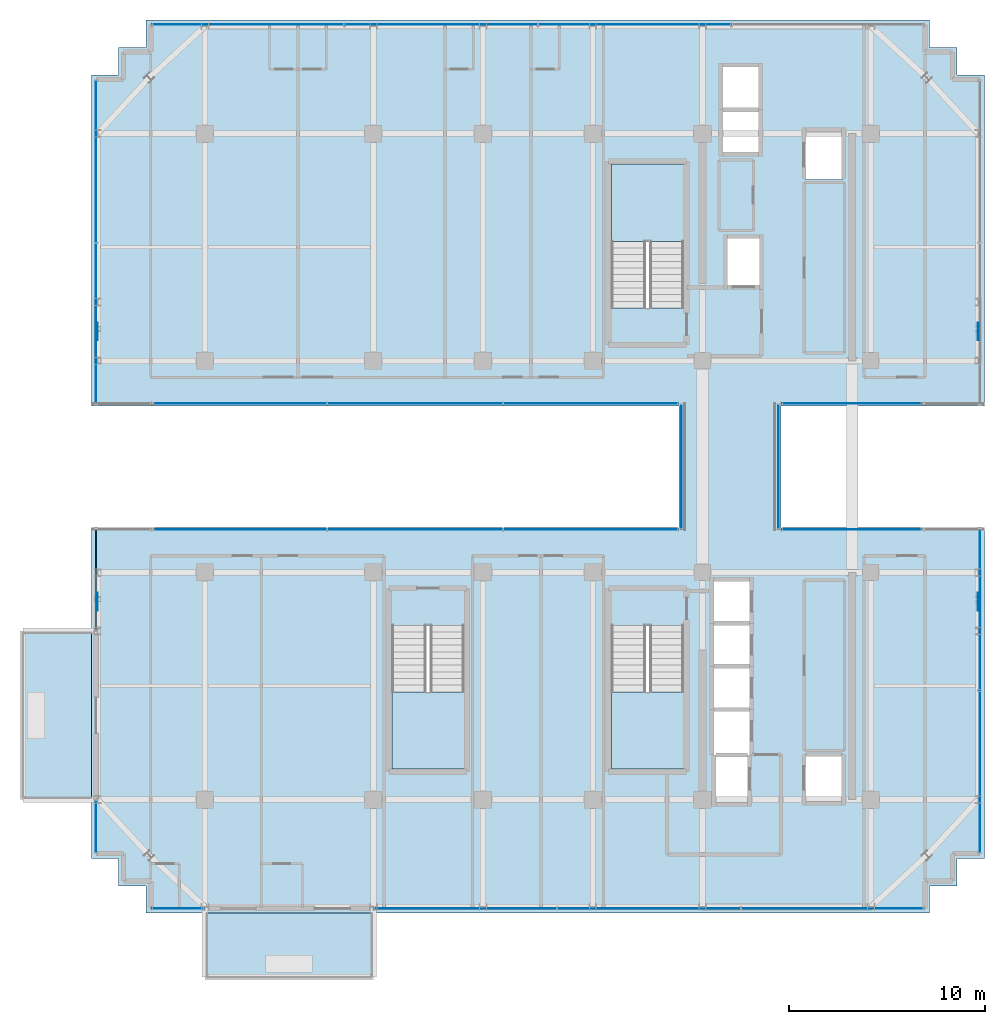
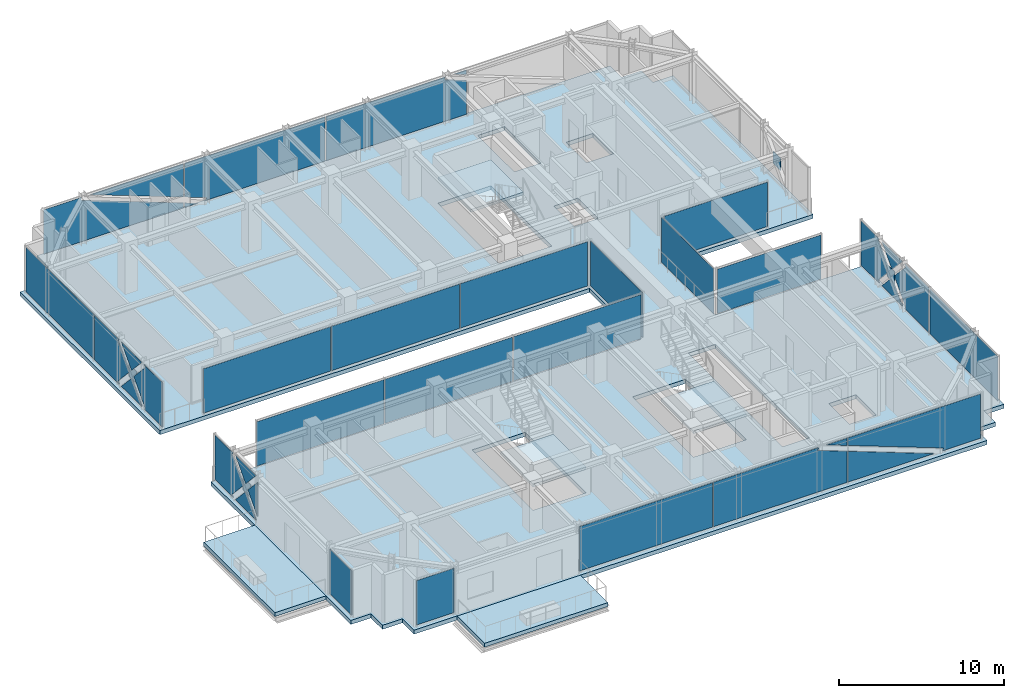
# One storey, part 29 of 37: 27 plates, 6 slabs, 16 elements without a shape of their own.
"""IFC4 building model written with IfcOpenShell, lengths in metres."""

from ifc_helpers import new_model, si_unit, direction, frame, origin, origin_2d, place, context, subcontext, project, spatial, polyline, rectangle, outline, extrude, source, transform, mapped, material, layer, layer_set, type_object, element, aggregate, save


model = new_model("IFC4")

# Units and contexts
model_context = context("Model", 3, precision=1e-05, world=origin(), true_north=direction((0.0, 1.0)))
body_context = subcontext(model_context, "Body", "Model", "MODEL_VIEW")
ifc_project = project(units=[si_unit("LENGTHUNIT", "METRE"), si_unit("AREAUNIT", "SQUARE_METRE"), si_unit("VOLUMEUNIT", "CUBIC_METRE"), si_unit("PLANEANGLEUNIT", "RADIAN"), si_unit("MASSUNIT", "GRAM", prefix="KILO")], contexts=[model_context])

# Site, building, storey
site_placement = place(None, origin())
site = spatial("IfcSite", under=ifc_project, at=site_placement, CompositionType="ELEMENT")
building_placement = place(site_placement, origin())
building = spatial("IfcBuilding", under=site, at=building_placement, Name="Nahalor Promenade Grand Hotel", CompositionType="ELEMENT")
storey_placement = place(building_placement, frame((0.0, 0.0, 308.050048828125)))
storey = spatial("IfcBuildingStorey", under=building, at=storey_placement, Name="L79", CompositionType="ELEMENT", Elevation=308.050048828125)

# Curtain wall, plates
ifc_material_1 = material(Name="Anodised Bronze Aluminium EN AW-6063 T6", Category="aluminium")
curtain_wall_type_1 = type_object("IfcCurtainWallType", Name="CW3 Elliptical-Void Collar Unitised Curtain Wall", PredefinedType="USERDEFINED", material=ifc_material_1)
curtain_wall_1_placement = place(storey_placement, origin())
curtain_wall_1 = element("IfcCurtainWall", 1, at=curtain_wall_1_placement, inside=storey, type_object=curtain_wall_type_1, Name="L79 Curtain Wall CW-L79-S-3", ObjectType="UNITISED_CURTAIN_WALL", PredefinedType="USERDEFINED")
ifc_material_2 = material(Name="Low-E Laminated Solar Glass", Category="glass")
ifc_layer_1 = layer(ifc_material_2, 0.030029296875)
ifc_layer_set_1 = layer_set([ifc_layer_1], Name="Low-E Laminated Solar Glass")
plate_type_1 = type_object("IfcPlateType", Name="CWP3 High-Wind Laminated Bronze IGU 30mm", PredefinedType="CURTAIN_PANEL", material=ifc_layer_set_1)
plate_1_placement = place(storey_placement, frame((5.679931640625, -22.56005859375, 0.139892578125), z_axis=(0.0, 0.0, 1.0), x_axis=(1.0, 0.0, 0.0)))
plate_1 = element("IfcPlate", 2, at=plate_1_placement, type_object=plate_type_1, Name="CW-L79-S-3 Glazing Panel 1-0", PredefinedType="CURTAIN_PANEL", context=body_context, shape_type="SweptSolid", body=[
    extrude(outline(polyline([(-4.658447265625, 0.0), (4.658447265625, 0.0), (4.658447265625, 2.313720703125), (2.6259765625, 3.081787109375), (2.697021484375, 3.27001953125), (-4.658447265625, 3.27001953125), (-4.658447265625, 0.0)])), frame((0.0, 0.01513671875, 0.0), z_axis=(0.0, -1.0, 0.0), x_axis=(1.0, 0.0, 0.0)), (0.0, 0.0, 1.0), 0.030029296875),
    extrude(outline(polyline([(4.658447265625, 2.7412109375), (4.658447265625, 3.27001953125), (3.25927734375, 3.27001953125), (4.658447265625, 2.7412109375)])), frame((0.0, 0.01513671875, 0.0), z_axis=(0.0, -1.0, 0.0), x_axis=(1.0, 0.0, 0.0)), (0.0, 0.0, 1.0), 0.030029296875),
])
plate_2_placement = place(storey_placement, frame((15.049072265625, -22.56005859375, 0.139892578125), z_axis=(0.0, 0.0, 1.0), x_axis=(1.0, 0.0, 0.0)))
plate_2 = element("IfcPlate", 3, at=plate_2_placement, type_object=plate_type_1, Name="CW-L79-S-3 Glazing Panel 2-0", PredefinedType="CURTAIN_PANEL", context=body_context, shape_type="SweptSolid", body=[
    extrude(outline(polyline([(4.640869140625, 3.27001953125), (-4.640869140625, 3.27001953125), (-4.640869140625, 2.71484375), (2.044921875, 0.188232421875), (1.973876953125, 0.0), (4.640869140625, 0.0), (4.640869140625, 3.27001953125)])), frame((0.0, 0.01513671875, 0.0), z_axis=(0.0, -1.0, 0.0), x_axis=(1.0, 0.0, 0.0)), (0.0, 0.0, 1.0), 0.030029296875),
    extrude(outline(polyline([(-4.640869140625, 2.287353515625), (-4.640869140625, 0.0), (1.41162109375, 0.0), (-4.640869140625, 2.287353515625)])), frame((0.0, 0.01513671875, 0.0), z_axis=(0.0, -1.0, 0.0), x_axis=(1.0, 0.0, 0.0)), (0.0, 0.0, 1.0), 0.030029296875),
])

curtain_wall_2_placement = place(storey_placement, origin())
curtain_wall_2 = element("IfcCurtainWall", 4, at=curtain_wall_2_placement, inside=storey, type_object=curtain_wall_type_1, Name="L79 Curtain Wall CW-L79-N-1", ObjectType="UNITISED_CURTAIN_WALL", PredefinedType="USERDEFINED")
plate_3_placement = place(storey_placement, frame((-14.802490234375, 22.56005859375, 0.139892578125), z_axis=(0.0, 0.0, 1.0), x_axis=(1.0, 0.0, 0.0)))
plate_3 = element("IfcPlate", 5, at=plate_3_placement, type_object=plate_type_1, Name="CW-L79-N-1 Glazing Panel 0-0", PredefinedType="CURTAIN_PANEL", context=body_context, shape_type="SweptSolid", body=[
    extrude(outline(polyline([(-4.887451171875, 0.0), (4.887451171875, 0.0), (4.887451171875, 0.36865234375), (-2.29150390625, 3.081787109375), (-2.220458984375, 3.27001953125), (-4.887451171875, 3.27001953125), (-4.887451171875, 0.0)])), frame((0.0, 0.01513671875, 0.0), z_axis=(0.0, -1.0, 0.0), x_axis=(1.0, 0.0, 0.0)), (0.0, 0.0, 1.0), 0.030029296875),
    extrude(outline(polyline([(4.887451171875, 0.79638671875), (4.887451171875, 3.27001953125), (-1.658203125, 3.27001953125), (4.887451171875, 0.79638671875)])), frame((0.0, 0.01513671875, 0.0), z_axis=(0.0, -1.0, 0.0), x_axis=(1.0, 0.0, 0.0)), (0.0, 0.0, 1.0), 0.030029296875),
])
plate_4_placement = place(storey_placement, frame((-4.93994140625, 22.56005859375, 0.139892578125), z_axis=(0.0, 0.0, 1.0), x_axis=(1.0, 0.0, 0.0)))
plate_4 = element("IfcPlate", 6, at=plate_4_placement, type_object=plate_type_1, Name="CW-L79-N-1 Glazing Panel 1-0", PredefinedType="CURTAIN_PANEL", context=body_context, shape_type="SweptSolid", body=[
    extrude(outline(polyline([(4.905029296875, 3.27001953125), (-4.905029296875, 3.27001953125), (-4.905029296875, 0.769775390625), (-3.365966796875, 0.188232421875), (-3.43701171875, 0.0), (4.905029296875, 0.0), (4.905029296875, 3.27001953125)])), frame((0.0, 0.01513671875, 0.0), z_axis=(0.0, -1.0, 0.0), x_axis=(1.0, 0.0, 0.0)), (0.0, 0.0, 1.0), 0.030029296875),
    extrude(outline(polyline([(-4.905029296875, 0.34228515625), (-4.905029296875, 0.0), (-3.999267578125, 0.0), (-4.905029296875, 0.34228515625)])), frame((0.0, 0.01513671875, 0.0), z_axis=(0.0, -1.0, 0.0), x_axis=(1.0, 0.0, 0.0)), (0.0, 0.0, 1.0), 0.030029296875),
])
plate_5_placement = place(storey_placement, frame((4.93994140625, 22.56005859375, 0.139892578125), z_axis=(0.0, 0.0, 1.0), x_axis=(1.0, 0.0, 0.0)))
plate_5 = element("IfcPlate", 7, at=plate_5_placement, type_object=plate_type_1, Name="CW-L79-N-1 Glazing Panel 2-0", PredefinedType="CURTAIN_PANEL", context=body_context, shape_type="SweptSolid", body=[
    extrude(outline(polyline([(-4.905029296875, 0.0), (4.905029296875, 0.0), (4.905029296875, 2.5), (3.365966796875, 3.081787109375), (3.43701171875, 3.27001953125), (-4.905029296875, 3.27001953125), (-4.905029296875, 0.0)])), frame((0.0, 0.01513671875, 0.0), z_axis=(0.0, -1.0, 0.0), x_axis=(1.0, 0.0, 0.0)), (0.0, 0.0, 1.0), 0.030029296875),
    extrude(outline(polyline([(4.905029296875, 2.927734375), (4.905029296875, 3.27001953125), (3.999267578125, 3.27001953125), (4.905029296875, 2.927734375)])), frame((0.0, 0.01513671875, 0.0), z_axis=(0.0, -1.0, 0.0), x_axis=(1.0, 0.0, 0.0)), (0.0, 0.0, 1.0), 0.030029296875),
])
aggregate(curtain_wall_2, [plate_3, plate_4, plate_5])

# Curtain wall, plate
curtain_wall_3_placement = place(storey_placement, origin())
curtain_wall_3 = element("IfcCurtainWall", 8, at=curtain_wall_3_placement, inside=storey, type_object=curtain_wall_type_1, Name="L79 Curtain Wall CW-L79-W-3", ObjectType="UNITISED_CURTAIN_WALL", PredefinedType="USERDEFINED")
plate_6_placement = place(storey_placement, frame((-22.56005859375, -5.75, 0.139892578125), z_axis=(0.0, 0.0, 1.0), x_axis=(0.0, 1.0, 0.0)))
plate_6 = element("IfcPlate", 9, at=plate_6_placement, type_object=plate_type_1, Name="CW-L79-W-3 Glazing Panel 0-0", PredefinedType="CURTAIN_PANEL", context=body_context, shape_type="SweptSolid", body=[
    extrude(outline(polyline([(-1.422119140625, 1.635009765625), (-2.580078125, 2.889404296875), (-2.580078125, 0.380615234375), (-1.422119140625, 1.635009765625)])), frame((0.0, 0.01513671875, 0.0), z_axis=(0.0, -1.0, 0.0), x_axis=(1.0, 0.0, 0.0)), (0.0, 0.0, 1.0), 0.030029296875),
    extrude(outline(polyline([(-1.14990234375, 1.340087890625), (-2.386962890625, 0.0), (0.087158203125, 0.0), (-1.14990234375, 1.340087890625)])), frame((0.0, 0.01513671875, 0.0), z_axis=(0.0, -1.0, 0.0), x_axis=(1.0, 0.0, 0.0)), (0.0, 0.0, 1.0), 0.030029296875),
    extrude(outline(polyline([(-1.14990234375, 1.929931640625), (0.087158203125, 3.27001953125), (-2.386962890625, 3.27001953125), (-1.14990234375, 1.929931640625)])), frame((0.0, 0.01513671875, 0.0), z_axis=(0.0, -1.0, 0.0), x_axis=(1.0, 0.0, 0.0)), (0.0, 0.0, 1.0), 0.030029296875),
    extrude(outline(polyline([(2.580078125, 0.0), (2.580078125, 3.27001953125), (0.3759765625, 3.27001953125), (0.513916015625, 3.142822265625), (-0.8779296875, 1.635009765625), (0.513916015625, 0.127197265625), (0.3759765625, 0.0), (2.580078125, 0.0)])), frame((0.0, 0.01513671875, 0.0), z_axis=(0.0, -1.0, 0.0), x_axis=(1.0, 0.0, 0.0)), (0.0, 0.0, 1.0), 0.030029296875),
])
aggregate(curtain_wall_3, [plate_6])

curtain_wall_4_placement = place(storey_placement, origin())
curtain_wall_4 = element("IfcCurtainWall", 10, at=curtain_wall_4_placement, inside=storey, type_object=curtain_wall_type_1, Name="L79 Curtain Wall CW-L79-W-4", ObjectType="UNITISED_CURTAIN_WALL", PredefinedType="USERDEFINED")
plate_7_placement = place(storey_placement, frame((-22.56005859375, 7.282470703125, 0.139892578125), z_axis=(0.0, 0.0, 1.0), x_axis=(0.0, 1.0, 0.0)))
plate_7 = element("IfcPlate", 11, at=plate_7_placement, type_object=plate_type_1, Name="CW-L79-W-4 Glazing Panel 0-0", PredefinedType="CURTAIN_PANEL", context=body_context, shape_type="SweptSolid", body=[
    extrude(outline(polyline([(-4.112548828125, 3.27001953125), (-4.112548828125, 0.0), (-1.908447265625, 0.0), (-2.04638671875, 0.127197265625), (-0.65478515625, 1.635009765625), (-2.04638671875, 3.142822265625), (-1.908447265625, 3.27001953125), (-4.112548828125, 3.27001953125)])), frame((0.0, 0.01513671875, 0.0), z_axis=(0.0, -1.0, 0.0), x_axis=(1.0, 0.0, 0.0)), (0.0, 0.0, 1.0), 0.030029296875),
    extrude(outline(polyline([(-0.382568359375, 1.340087890625), (-1.61962890625, 0.0), (0.8544921875, 0.0), (-0.382568359375, 1.340087890625)])), frame((0.0, 0.01513671875, 0.0), z_axis=(0.0, -1.0, 0.0), x_axis=(1.0, 0.0, 0.0)), (0.0, 0.0, 1.0), 0.030029296875),
    extrude(outline(polyline([(-0.382568359375, 1.929931640625), (0.8544921875, 3.27001953125), (-1.61962890625, 3.27001953125), (-0.382568359375, 1.929931640625)])), frame((0.0, 0.01513671875, 0.0), z_axis=(0.0, -1.0, 0.0), x_axis=(1.0, 0.0, 0.0)), (0.0, 0.0, 1.0), 0.030029296875),
    extrude(outline(polyline([(4.112548828125, 0.0), (4.112548828125, 3.27001953125), (1.1435546875, 3.27001953125), (1.281494140625, 3.142822265625), (-0.1103515625, 1.635009765625), (1.281494140625, 0.127197265625), (1.1435546875, 0.0), (4.112548828125, 0.0)])), frame((0.0, 0.01513671875, 0.0), z_axis=(0.0, -1.0, 0.0), x_axis=(1.0, 0.0, 0.0)), (0.0, 0.0, 1.0), 0.030029296875),
])

curtain_wall_5_placement = place(storey_placement, origin())
curtain_wall_5 = element("IfcCurtainWall", 12, at=curtain_wall_5_placement, inside=storey, type_object=curtain_wall_type_1, Name="L79 Curtain Wall CW-L79-E-1", ObjectType="UNITISED_CURTAIN_WALL", PredefinedType="USERDEFINED")
plate_8_placement = place(storey_placement, frame((22.56005859375, -7.282470703125, 0.139892578125), z_axis=(0.0, 0.0, 1.0), x_axis=(0.0, 1.0, 0.0)))
plate_8 = element("IfcPlate", 13, at=plate_8_placement, type_object=plate_type_1, Name="CW-L79-E-1 Glazing Panel 1-0", PredefinedType="CURTAIN_PANEL", context=body_context, shape_type="SweptSolid", body=[
    extrude(outline(polyline([(-4.112548828125, 3.27001953125), (-4.112548828125, 0.0), (-1.1435546875, 0.0), (-1.281494140625, 0.127197265625), (0.1103515625, 1.635009765625), (-1.281494140625, 3.142822265625), (-1.1435546875, 3.27001953125), (-4.112548828125, 3.27001953125)])), frame((0.0, 0.01513671875, 0.0), z_axis=(0.0, -1.0, 0.0), x_axis=(1.0, 0.0, 0.0)), (0.0, 0.0, 1.0), 0.030029296875),
    extrude(outline(polyline([(0.382568359375, 1.340087890625), (-0.8544921875, 0.0), (1.61962890625, 0.0), (0.382568359375, 1.340087890625)])), frame((0.0, 0.01513671875, 0.0), z_axis=(0.0, -1.0, 0.0), x_axis=(1.0, 0.0, 0.0)), (0.0, 0.0, 1.0), 0.030029296875),
    extrude(outline(polyline([(0.382568359375, 1.929931640625), (1.61962890625, 3.27001953125), (-0.8544921875, 3.27001953125), (0.382568359375, 1.929931640625)])), frame((0.0, 0.01513671875, 0.0), z_axis=(0.0, -1.0, 0.0), x_axis=(1.0, 0.0, 0.0)), (0.0, 0.0, 1.0), 0.030029296875),
    extrude(outline(polyline([(4.112548828125, 0.0), (4.112548828125, 3.27001953125), (1.908447265625, 3.27001953125), (2.04638671875, 3.142822265625), (0.65478515625, 1.635009765625), (2.04638671875, 0.127197265625), (1.908447265625, 0.0), (4.112548828125, 0.0)])), frame((0.0, 0.01513671875, 0.0), z_axis=(0.0, -1.0, 0.0), x_axis=(1.0, 0.0, 0.0)), (0.0, 0.0, 1.0), 0.030029296875),
])

# Stair, slab
ifc_material_3 = material(Name="Concrete B-50 (C40/50)", Category="concrete")
stair_type_1 = type_object("IfcStairType", Name="Stair-ST1", PredefinedType="HALF_TURN_STAIR", material=ifc_material_3)
stair_1_placement = place(storey_placement, origin())
stair_1 = element("IfcStair", 14, at=stair_1_placement, inside=storey, type_object=stair_type_1, Name="L79 ST1", PredefinedType="HALF_TURN_STAIR")
ifc_layer_2 = layer(ifc_material_3, 0.199951171875)
ifc_layer_set_2 = layer_set([ifc_layer_2], Name="Concrete B-50 (C40/50)")
slab_type_1 = type_object("IfcSlabType", Name="Landing-ST1", PredefinedType="LANDING", material=ifc_layer_set_2)
slab_1_placement = place(storey_placement, frame((0.0, 0.0, 1.724853515625)))
slab_1 = element("IfcSlab", 15, at=slab_1_placement, type_object=slab_type_1, Name="ST1 landing 1", PredefinedType="LANDING", context=body_context, shape_type="SweptSolid", body=[
    extrude(outline(polyline([(7.449951171875, 11.5), (7.449951171875, 15.449951171875), (3.75, 15.449951171875), (3.75, 11.5), (7.449951171875, 11.5)])), origin(), (0.0, 0.0, 1.0), 0.2001953125),
])
aggregate(stair_1, [slab_1])

stair_type_2 = type_object("IfcStairType", Name="Stair-ST2", PredefinedType="HALF_TURN_STAIR", material=ifc_material_3)
stair_2_placement = place(storey_placement, origin())
stair_2 = element("IfcStair", 16, at=stair_2_placement, inside=storey, type_object=stair_type_2, Name="L79 ST2", PredefinedType="HALF_TURN_STAIR")
ifc_layer_3 = layer(ifc_material_3, 0.2099609375)
ifc_layer_set_3 = layer_set([ifc_layer_3], Name="Concrete B-50 (C40/50)")
slab_type_2 = type_object("IfcSlabType", Name="Landing-ST2", PredefinedType="LANDING", material=ifc_layer_set_3)
slab_2_placement = place(storey_placement, frame((0.0, 0.0, 1.71484375)))
slab_2 = element("IfcSlab", 17, at=slab_2_placement, type_object=slab_type_2, Name="ST2 landing 1", PredefinedType="LANDING", context=body_context, shape_type="SweptSolid", body=[
    extrude(outline(polyline([(3.75, -11.5), (3.75, -15.449951171875), (7.449951171875, -15.449951171875), (7.449951171875, -11.5), (3.75, -11.5)])), origin(), (0.0, 0.0, 1.0), 0.210205078125),
])
aggregate(stair_2, [slab_2])

stair_type_3 = type_object("IfcStairType", Name="Stair-ST3", PredefinedType="HALF_TURN_STAIR", material=ifc_material_3)
stair_3_placement = place(storey_placement, origin())
stair_3 = element("IfcStair", 18, at=stair_3_placement, inside=storey, type_object=stair_type_3, Name="L79 ST3", PredefinedType="HALF_TURN_STAIR")
ifc_layer_4 = layer(ifc_material_3, 0.219970703125)
ifc_layer_set_4 = layer_set([ifc_layer_4], Name="Concrete B-50 (C40/50)")
slab_type_3 = type_object("IfcSlabType", Name="Landing-ST3", PredefinedType="LANDING", material=ifc_layer_set_4)
slab_3_placement = place(storey_placement, frame((0.0, 0.0, 1.704833984375)))
slab_3 = element("IfcSlab", 19, at=slab_3_placement, type_object=slab_type_3, Name="ST3 landing 1", PredefinedType="LANDING", context=body_context, shape_type="SweptSolid", body=[
    extrude(outline(polyline([(-7.449951171875, -11.5), (-7.449951171875, -15.449951171875), (-3.75, -15.449951171875), (-3.75, -11.5), (-7.449951171875, -11.5)])), origin(), (0.0, 0.0, 1.0), 0.22021484375),
])
aggregate(stair_3, [slab_3])

# Slabs
ifc_layer_5 = layer(ifc_material_3, 0.280029296875)
ifc_layer_set_5 = layer_set([ifc_layer_5], Name="Concrete B-50 (C40/50)")
slab_type_4 = type_object("IfcSlabType", Name="Slab-Balcony-280", PredefinedType="FLOOR", material=ifc_layer_set_5)
slab_4_placement = place(storey_placement, frame((0.0, 0.0, -0.280029296875)))
element("IfcSlab", 20, at=slab_4_placement, inside=storey, type_object=slab_type_4, Name="L79 Cantilevered Planted Balcony 1", PredefinedType="FLOOR", context=body_context, shape_type="SweptSolid", body=[
    extrude(outline(polyline([(-17.0, -26.139892578125), (-8.39990234375, -26.139892578125), (-8.39990234375, -22.800048828125), (-17.0, -22.800048828125), (-17.0, -26.139892578125)])), origin(), (0.0, 0.0, 1.0), 0.280029296875),
])
slab_5_placement = place(storey_placement, frame((0.0, 0.0, -0.280029296875)))
element("IfcSlab", 21, at=slab_5_placement, inside=storey, type_object=slab_type_4, Name="L79 Cantilevered Planted Balcony 2", PredefinedType="FLOOR", context=body_context, shape_type="SweptSolid", body=[
    extrude(outline(polyline([(-26.3701171875, -17.0), (-22.800048828125, -17.0), (-22.800048828125, -8.39990234375), (-26.3701171875, -8.39990234375), (-26.3701171875, -17.0)])), origin(), (0.0, 0.0, 1.0), 0.280029296875),
])
ifc_layer_6 = layer(ifc_material_3, 0.300048828125)
ifc_layer_set_6 = layer_set([ifc_layer_6], Name="Concrete B-50 (C40/50)")
slab_type_5 = type_object("IfcSlabType", Name="Slab-TowerZ5-300", PredefinedType="FLOOR", material=ifc_layer_set_6)
slab_6_placement = place(storey_placement, frame((0.0, 0.0, -0.300048828125)))
element("IfcSlab", 22, at=slab_6_placement, inside=storey, type_object=slab_type_5, Name="L79 Suspended Structural Floor Slab", PredefinedType="FLOOR", context=body_context, shape_type="SweptSolid", body=[
    extrude(outline(polyline([(-20.0, -22.800048828125), (20.0, -22.800048828125), (20.0, -21.39990234375), (21.39990234375, -21.39990234375), (21.39990234375, -20.0), (22.800048828125, -20.0), (22.800048828125, -3.10009765625), (12.39990234375, -3.10009765625), (12.39990234375, 3.10009765625), (22.800048828125, 3.10009765625), (22.800048828125, 20.0), (21.39990234375, 20.0), (21.39990234375, 21.39990234375), (20.0, 21.39990234375), (20.0, 22.800048828125), (-20.0, 22.800048828125), (-20.0, 21.39990234375), (-21.39990234375, 21.39990234375), (-21.39990234375, 20.0), (-22.800048828125, 20.0), (-22.800048828125, 3.10009765625), (7.199951171875, 3.10009765625), (7.199951171875, -3.10009765625), (-22.800048828125, -3.10009765625), (-22.800048828125, -20.0), (-21.39990234375, -20.0), (-21.39990234375, -21.39990234375), (-20.0, -21.39990234375), (-20.0, -22.800048828125)]), holes=[polyline([(3.75, 8.10009765625), (7.449951171875, 8.10009765625), (7.449951171875, 15.449951171875), (3.75, 15.449951171875), (3.75, 8.10009765625)]), polyline([(3.75, -15.449951171875), (7.449951171875, -15.449951171875), (7.449951171875, -8.10009765625), (3.75, -8.10009765625), (3.75, -15.449951171875)]), polyline([(-7.449951171875, -15.449951171875), (-3.75, -15.449951171875), (-3.75, -8.10009765625), (-7.449951171875, -8.10009765625), (-7.449951171875, -15.449951171875)]), polyline([(8.9599609375, -17.18994140625), (10.840087890625, -17.18994140625), (10.840087890625, -5.81005859375), (8.9599609375, -5.81005859375), (8.9599609375, -17.18994140625)]), polyline([(9.409912109375, 16.010009765625), (11.2900390625, 16.010009765625), (11.2900390625, 20.43994140625), (9.409912109375, 20.43994140625), (9.409912109375, 16.010009765625)]), polyline([(9.659912109375, 9.2099609375), (11.340087890625, 9.2099609375), (11.340087890625, 11.68994140625), (9.659912109375, 11.68994140625), (9.659912109375, 9.2099609375)]), polyline([(13.659912109375, 14.659912109375), (15.5400390625, 14.659912109375), (15.5400390625, 17.139892578125), (13.659912109375, 17.139892578125), (13.659912109375, 14.659912109375)]), polyline([(13.659912109375, -17.139892578125), (15.5400390625, -17.139892578125), (15.5400390625, -14.659912109375), (13.659912109375, -14.659912109375), (13.659912109375, -17.139892578125)])]), origin(), (0.0, 0.0, 1.0), 0.300048828125),
])

# Plates
ifc_material_4 = material(Name="Steel S355J2", Category="steel")
ifc_layer_7 = layer(ifc_material_4, 0.035888671875)
ifc_layer_set_7 = layer_set([ifc_layer_7], Name="Steel S355J2")
plate_type_2 = type_object("IfcPlateType", Name="Plate-CrossGusset-36", PredefinedType="USERDEFINED", material=ifc_layer_set_7)
shared_shape_1 = source(origin(), body_context, "Body", "SweptSolid", [
    extrude(rectangle(XDim=0.89990234375, YDim=0.035888671875, at=origin_2d()), origin(), (0.0, 0.0, 1.0), 0.89990234375),
])
for number, where, z_axis, x_axis, name in (
    (23, (-22.47998046875, -6.89990234375, 1.324951171875), (0.0, 0.0, 1.0), (0.0, 1.0, 0.0), "PL-L79-VXX-W0"),
    (24, (-22.47998046875, 6.89990234375, 1.324951171875), (0.0, 0.0, 1.0), (0.0, 1.0, 0.0), "PL-L79-VXX-W1"),
    (25, (22.47998046875, -6.89990234375, 1.324951171875), (0.0, 0.0, 1.0), (0.0, 1.0, 0.0), "PL-L79-VXX-E0"),
    (26, (22.47998046875, 6.89990234375, 1.324951171875), (0.0, 0.0, 1.0), (0.0, 1.0, 0.0), "PL-L79-VXX-E1"),
):
    element("IfcPlate", number, at=place(storey_placement, frame(where, z_axis=z_axis, x_axis=x_axis)), inside=storey, type_object=plate_type_2, Name=name, ObjectType="GUSSET_PLATE", PredefinedType="USERDEFINED", context=body_context, shape_type="MappedRepresentation", body=[
        mapped(shared_shape_1, transform((0.0, 0.0, 0.0), scale=1.0)),
    ])

# Curtain wall, plate
curtain_wall_6_placement = place(storey_placement, origin())
curtain_wall_6 = element("IfcCurtainWall", 27, at=curtain_wall_6_placement, inside=storey, type_object=curtain_wall_type_1, Name="L79 Curtain Wall CW-L79-S-1", ObjectType="UNITISED_CURTAIN_WALL", PredefinedType="USERDEFINED")
shared_shape_2 = source(origin(), body_context, "Body", "SweptSolid", [
    extrude(rectangle(XDim=2.6201171875, YDim=0.030029296875, at=origin_2d()), origin(), (0.0, 0.0, 1.0), 3.27001953125),
])
plate_9_placement = place(storey_placement, frame((-18.3798828125, -22.56005859375, 0.139892578125), z_axis=(0.0, 0.0, 1.0), x_axis=(1.0, 0.0, 0.0)))
plate_9 = element("IfcPlate", 28, at=plate_9_placement, type_object=plate_type_1, Name="CW-L79-S-1 Glazing Panel 0-0", PredefinedType="CURTAIN_PANEL", context=body_context, shape_type="MappedRepresentation", body=[
    mapped(shared_shape_2, transform((0.0, 0.0, 0.0), scale=1.0)),
])
aggregate(curtain_wall_6, [plate_9])

curtain_wall_7_placement = place(storey_placement, origin())
curtain_wall_7 = element("IfcCurtainWall", 29, at=curtain_wall_7_placement, inside=storey, type_object=curtain_wall_type_1, Name="L79 Curtain Wall CW-L79-W-1", ObjectType="UNITISED_CURTAIN_WALL", PredefinedType="USERDEFINED")
plate_10_placement = place(storey_placement, frame((-22.56005859375, -18.3798828125, 0.139892578125), z_axis=(0.0, 0.0, 1.0), x_axis=(0.0, 1.0, 0.0)))
plate_10 = element("IfcPlate", 30, at=plate_10_placement, type_object=plate_type_1, Name="CW-L79-W-1 Glazing Panel 0-0", PredefinedType="CURTAIN_PANEL", context=body_context, shape_type="MappedRepresentation", body=[
    mapped(shared_shape_2, transform((0.0, 0.0, 0.0), scale=1.0)),
])
aggregate(curtain_wall_7, [plate_10])

# Plate
shared_shape_3 = source(origin(), body_context, "Body", "SweptSolid", [
    extrude(rectangle(XDim=9.28173828125, YDim=0.030029296875, at=origin_2d()), origin(), (0.0, 0.0, 1.0), 3.27001953125),
])
plate_11_placement = place(storey_placement, frame((-3.689208984375, -22.56005859375, 0.139892578125), z_axis=(0.0, 0.0, 1.0), x_axis=(1.0, 0.0, 0.0)))
plate_11 = element("IfcPlate", 31, at=plate_11_placement, type_object=plate_type_1, Name="CW-L79-S-3 Glazing Panel 0-0", PredefinedType="CURTAIN_PANEL", context=body_context, shape_type="MappedRepresentation", body=[
    mapped(shared_shape_3, transform((0.0, 0.0, 0.0), scale=1.0)),
])

aggregate(curtain_wall_1, [plate_11, plate_1, plate_2])

# Curtain wall, plates
curtain_wall_8_placement = place(storey_placement, origin())
curtain_wall_8 = element("IfcCurtainWall", 32, at=curtain_wall_8_placement, inside=storey, type_object=curtain_wall_type_1, Name="L79 Curtain Wall CW-L79-VOID-WS1", ObjectType="UNITISED_CURTAIN_WALL", PredefinedType="USERDEFINED")
shared_shape_4 = source(origin(), body_context, "Body", "SweptSolid", [
    extrude(rectangle(XDim=8.881591796875, YDim=0.030029296875, at=origin_2d()), origin(), (0.0, 0.0, 1.0), 3.27001953125),
])
plate_12_placement = place(storey_placement, frame((-15.249267578125, -3.219970703125, 0.139892578125), z_axis=(0.0, 0.0, 1.0), x_axis=(1.0, 0.0, 0.0)))
plate_12 = element("IfcPlate", 33, at=plate_12_placement, type_object=plate_type_1, Name="CW-L79-VOID-WS1 Glazing Panel 0-0", PredefinedType="CURTAIN_PANEL", context=body_context, shape_type="MappedRepresentation", body=[
    mapped(shared_shape_4, transform((0.0, 0.0, 0.0), scale=1.0)),
])
plate_13_placement = place(storey_placement, frame((2.689208984375, -3.219970703125, 0.139892578125), z_axis=(0.0, 0.0, 1.0), x_axis=(1.0, 0.0, 0.0)))
plate_13 = element("IfcPlate", 34, at=plate_13_placement, type_object=plate_type_1, Name="CW-L79-VOID-WS1 Glazing Panel 2-0", PredefinedType="CURTAIN_PANEL", context=body_context, shape_type="MappedRepresentation", body=[
    mapped(shared_shape_4, transform((0.0, 0.0, 0.0), scale=1.0)),
])

curtain_wall_9_placement = place(storey_placement, origin())
curtain_wall_9 = element("IfcCurtainWall", 35, at=curtain_wall_9_placement, inside=storey, type_object=curtain_wall_type_1, Name="L79 Curtain Wall CW-L79-VOID-WN1", ObjectType="UNITISED_CURTAIN_WALL", PredefinedType="USERDEFINED")
plate_14_placement = place(storey_placement, frame((-15.249267578125, 3.219970703125, 0.139892578125), z_axis=(0.0, 0.0, 1.0), x_axis=(1.0, 0.0, 0.0)))
plate_14 = element("IfcPlate", 36, at=plate_14_placement, type_object=plate_type_1, Name="CW-L79-VOID-WN1 Glazing Panel 0-0", PredefinedType="CURTAIN_PANEL", context=body_context, shape_type="MappedRepresentation", body=[
    mapped(shared_shape_4, transform((0.0, 0.0, 0.0), scale=1.0)),
])
plate_15_placement = place(storey_placement, frame((2.689208984375, 3.219970703125, 0.139892578125), z_axis=(0.0, 0.0, 1.0), x_axis=(1.0, 0.0, 0.0)))
plate_15 = element("IfcPlate", 37, at=plate_15_placement, type_object=plate_type_1, Name="CW-L79-VOID-WN1 Glazing Panel 2-0", PredefinedType="CURTAIN_PANEL", context=body_context, shape_type="MappedRepresentation", body=[
    mapped(shared_shape_4, transform((0.0, 0.0, 0.0), scale=1.0)),
])

# Plate
shared_shape_5 = source(origin(), body_context, "Body", "SweptSolid", [
    extrude(rectangle(XDim=8.916748046875, YDim=0.030029296875, at=origin_2d()), origin(), (0.0, 0.0, 1.0), 3.27001953125),
])
plate_16_placement = place(storey_placement, frame((-6.280029296875, -3.219970703125, 0.139892578125), z_axis=(0.0, 0.0, 1.0), x_axis=(1.0, 0.0, 0.0)))
plate_16 = element("IfcPlate", 38, at=plate_16_placement, type_object=plate_type_1, Name="CW-L79-VOID-WS1 Glazing Panel 1-0", PredefinedType="CURTAIN_PANEL", context=body_context, shape_type="MappedRepresentation", body=[
    mapped(shared_shape_5, transform((0.0, 0.0, 0.0), scale=1.0)),
])

aggregate(curtain_wall_8, [plate_12, plate_16, plate_13])

plate_17_placement = place(storey_placement, frame((-6.280029296875, 3.219970703125, 0.139892578125), z_axis=(0.0, 0.0, 1.0), x_axis=(1.0, 0.0, 0.0)))
plate_17 = element("IfcPlate", 39, at=plate_17_placement, type_object=plate_type_1, Name="CW-L79-VOID-WN1 Glazing Panel 1-0", PredefinedType="CURTAIN_PANEL", context=body_context, shape_type="MappedRepresentation", body=[
    mapped(shared_shape_5, transform((0.0, 0.0, 0.0), scale=1.0)),
])

aggregate(curtain_wall_9, [plate_14, plate_17, plate_15])

# Curtain wall, plate
curtain_wall_10_placement = place(storey_placement, origin())
curtain_wall_10 = element("IfcCurtainWall", 40, at=curtain_wall_10_placement, inside=storey, type_object=curtain_wall_type_1, Name="L79 Curtain Wall CW-L79-VOID-ES1", ObjectType="UNITISED_CURTAIN_WALL", PredefinedType="USERDEFINED")
shared_shape_6 = source(origin(), body_context, "Body", "SweptSolid", [
    extrude(rectangle(XDim=7.219970703125, YDim=0.030029296875, at=origin_2d()), origin(), (0.0, 0.0, 1.0), 3.27001953125),
])
plate_18_placement = place(storey_placement, frame((16.080078125, -3.219970703125, 0.139892578125), z_axis=(0.0, 0.0, 1.0), x_axis=(1.0, 0.0, 0.0)))
plate_18 = element("IfcPlate", 41, at=plate_18_placement, type_object=plate_type_1, Name="CW-L79-VOID-ES1 Glazing Panel 0-0", PredefinedType="CURTAIN_PANEL", context=body_context, shape_type="MappedRepresentation", body=[
    mapped(shared_shape_6, transform((0.0, 0.0, 0.0), scale=1.0)),
])
aggregate(curtain_wall_10, [plate_18])

curtain_wall_11_placement = place(storey_placement, origin())
curtain_wall_11 = element("IfcCurtainWall", 42, at=curtain_wall_11_placement, inside=storey, type_object=curtain_wall_type_1, Name="L79 Curtain Wall CW-L79-VOID-EN1", ObjectType="UNITISED_CURTAIN_WALL", PredefinedType="USERDEFINED")
plate_19_placement = place(storey_placement, frame((16.080078125, 3.219970703125, 0.139892578125), z_axis=(0.0, 0.0, 1.0), x_axis=(1.0, 0.0, 0.0)))
plate_19 = element("IfcPlate", 43, at=plate_19_placement, type_object=plate_type_1, Name="CW-L79-VOID-EN1 Glazing Panel 0-0", PredefinedType="CURTAIN_PANEL", context=body_context, shape_type="MappedRepresentation", body=[
    mapped(shared_shape_6, transform((0.0, 0.0, 0.0), scale=1.0)),
])
aggregate(curtain_wall_11, [plate_19])

# Plate
shared_shape_7 = source(origin(), body_context, "Body", "SweptSolid", [
    extrude(rectangle(XDim=8.22509765625, YDim=0.030029296875, at=origin_2d()), origin(), (0.0, 0.0, 1.0), 3.27001953125),
])
plate_20_placement = place(storey_placement, frame((-22.56005859375, 15.577392578125, 0.139892578125), z_axis=(0.0, 0.0, 1.0), x_axis=(0.0, 1.0, 0.0)))
plate_20 = element("IfcPlate", 44, at=plate_20_placement, type_object=plate_type_1, Name="CW-L79-W-4 Glazing Panel 1-0", PredefinedType="CURTAIN_PANEL", context=body_context, shape_type="MappedRepresentation", body=[
    mapped(shared_shape_7, transform((0.0, 0.0, 0.0), scale=1.0)),
])

aggregate(curtain_wall_4, [plate_7, plate_20])

plate_21_placement = place(storey_placement, frame((22.56005859375, -15.577392578125, 0.139892578125), z_axis=(0.0, 0.0, 1.0), x_axis=(0.0, 1.0, 0.0)))
plate_21 = element("IfcPlate", 45, at=plate_21_placement, type_object=plate_type_1, Name="CW-L79-E-1 Glazing Panel 0-0", PredefinedType="CURTAIN_PANEL", context=body_context, shape_type="MappedRepresentation", body=[
    mapped(shared_shape_7, transform((0.0, 0.0, 0.0), scale=1.0)),
])

aggregate(curtain_wall_5, [plate_21, plate_8])

# Curtain wall, plate
curtain_wall_type_2 = type_object("IfcCurtainWallType", Name="CW4 Low-Iron Sky-Gallery Bridge Curtain Wall", PredefinedType="USERDEFINED", material=ifc_material_1)
curtain_wall_12_placement = place(storey_placement, origin())
curtain_wall_12 = element("IfcCurtainWall", 46, at=curtain_wall_12_placement, inside=storey, type_object=curtain_wall_type_2, Name="L79 Curtain Wall CW-L79-BRG-W", ObjectType="UNITISED_CURTAIN_WALL", PredefinedType="USERDEFINED")
ifc_layer_8 = layer(ifc_material_2, 0.02587890625)
ifc_layer_set_8 = layer_set([ifc_layer_8], Name="Low-E Laminated Solar Glass")
plate_type_3 = type_object("IfcPlateType", Name="CWP4 Ultra-Clear Low-Iron Bridge IGU 26mm", PredefinedType="CURTAIN_PANEL", material=ifc_layer_set_8)
shared_shape_8 = source(origin(), body_context, "Body", "SweptSolid", [
    extrude(rectangle(XDim=6.320068359375, YDim=0.02587890625, at=origin_2d()), origin(), (0.0, 0.0, 1.0), 3.31005859375),
])
plate_22_placement = place(storey_placement, frame((7.320068359375, 0.0, 0.119873046875), z_axis=(0.0, 0.0, 1.0), x_axis=(0.0, 1.0, 0.0)))
plate_22 = element("IfcPlate", 47, at=plate_22_placement, type_object=plate_type_3, Name="CW-L79-BRG-W Glazing Panel 0-0", PredefinedType="CURTAIN_PANEL", context=body_context, shape_type="MappedRepresentation", body=[
    mapped(shared_shape_8, transform((0.0, 0.0, 0.0), scale=1.0)),
])
aggregate(curtain_wall_12, [plate_22])

curtain_wall_13_placement = place(storey_placement, origin())
curtain_wall_13 = element("IfcCurtainWall", 48, at=curtain_wall_13_placement, inside=storey, type_object=curtain_wall_type_2, Name="L79 Curtain Wall CW-L79-BRG-E", ObjectType="UNITISED_CURTAIN_WALL", PredefinedType="USERDEFINED")
plate_23_placement = place(storey_placement, frame((12.280029296875, 0.0, 0.119873046875), z_axis=(0.0, 0.0, 1.0), x_axis=(0.0, 1.0, 0.0)))
plate_23 = element("IfcPlate", 49, at=plate_23_placement, type_object=plate_type_3, Name="CW-L79-BRG-E Glazing Panel 0-0", PredefinedType="CURTAIN_PANEL", context=body_context, shape_type="MappedRepresentation", body=[
    mapped(shared_shape_8, transform((0.0, 0.0, 0.0), scale=1.0)),
])
aggregate(curtain_wall_13, [plate_23])

save(model, "model.ifc")
